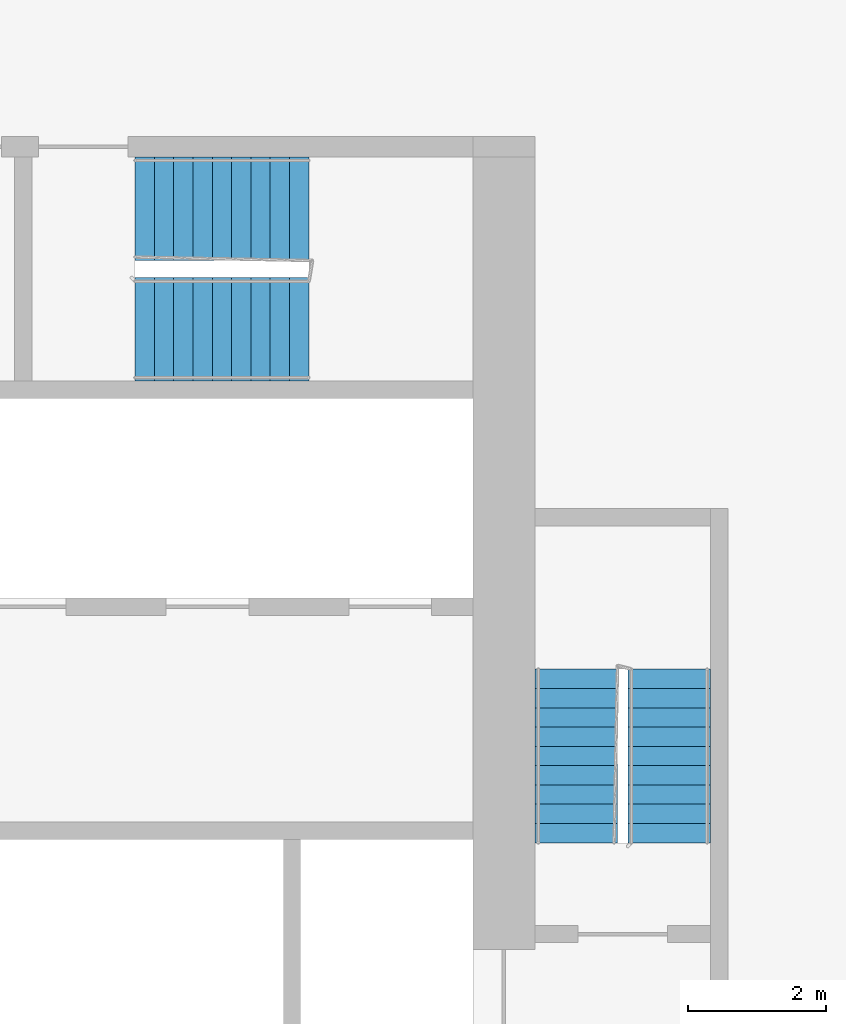
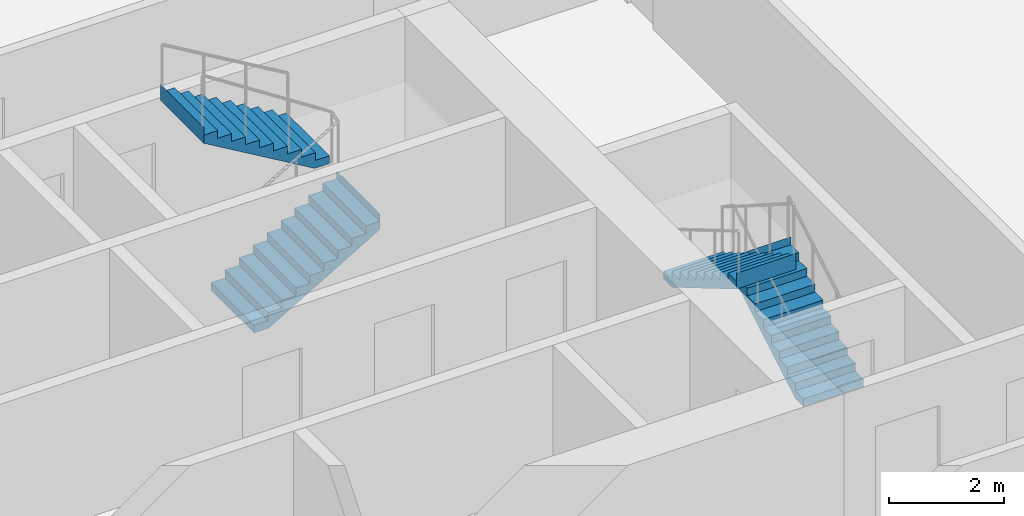
# One storey, part 11 of 12: 4 stair flights, 2 elements without a shape of their own.
"""IFC4 building model written with IfcOpenShell, lengths in metres."""

from ifc_helpers import new_model, si_unit, direction, frame, origin, place, context, subcontext, project, spatial, faceted_brep, material, type_object, element, aggregate, save


model = new_model("IFC4")

# Units and contexts
model_context = context("Model", 3, precision=1e-05, world=origin(), true_north=direction((0.0, 1.0)))
body_context = subcontext(model_context, "Body", "Model", "MODEL_VIEW")
ifc_project = project(units=[si_unit("LENGTHUNIT", "METRE"), si_unit("AREAUNIT", "SQUARE_METRE"), si_unit("VOLUMEUNIT", "CUBIC_METRE"), si_unit("PLANEANGLEUNIT", "RADIAN"), si_unit("MASSUNIT", "GRAM", prefix="KILO")], contexts=[model_context])

# Site, building, storey
site_placement = place(None, origin())
site = spatial("IfcSite", under=ifc_project, at=site_placement, CompositionType="ELEMENT")
building_placement = place(site_placement, origin())
building = spatial("IfcBuilding", under=site, at=building_placement, Name="Kajstack Hotel Tower", CompositionType="ELEMENT")
storey_placement = place(building_placement, frame((0.0, 0.0, 133.89990234375)))
storey = spatial("IfcBuildingStorey", under=building, at=storey_placement, Name="L30", CompositionType="ELEMENT", Elevation=133.89990234375)

# Stair, stair flights
ifc_material = material(Name="Concrete C40/50", Category="concrete")
stair_type_1 = type_object("IfcStairType", Name="Exit stair 1200", PredefinedType="HALF_TURN_STAIR", material=ifc_material)
stair_1_placement = place(storey_placement, origin())
stair_1 = element("IfcStair", 1, at=stair_1_placement, inside=storey, type_object=stair_type_1, Name="L30 stair E1", PredefinedType="HALF_TURN_STAIR")
stair_flight_type_1 = type_object("IfcStairFlightType", Name="Exit stair flight 1200", PredefinedType="STRAIGHT", material=ifc_material)
stair_flight_1_placement = place(storey_placement, frame((33.449951171875, 5.25, 0.0), z_axis=(0.0, 0.0, 1.0), x_axis=(0.0, 1.0, 0.0)))
stair_flight_1 = element("IfcStairFlight", 2, at=stair_flight_1_placement, type_object=stair_flight_type_1, Name="E1 flight 1", NumberOfRisers=10, NumberOfTreads=9, PredefinedType="STRAIGHT", RiserHeight=0.165, TreadLength=0.28, context=body_context, shape_type="Brep", body=[
    faceted_brep([(0.295654296875, -0.60009765625, 0.0), (2.5205078125, -0.60009765625, 1.31103515625), (2.5205078125, -0.60009765625, 1.64990234375), (2.52001953125, -0.60009765625, 1.64990234375), (2.52001953125, -0.60009765625, 1.485107421875), (2.239990234375, -0.60009765625, 1.485107421875), (2.239990234375, -0.60009765625, 1.320068359375), (1.9599609375, -0.60009765625, 1.320068359375), (1.9599609375, -0.60009765625, 1.155029296875), (1.679931640625, -0.60009765625, 1.155029296875), (1.679931640625, -0.60009765625, 0.989990234375), (1.39990234375, -0.60009765625, 0.989990234375), (1.39990234375, -0.60009765625, 0.824951171875), (1.1201171875, -0.60009765625, 0.824951171875), (1.1201171875, -0.60009765625, 0.659912109375), (0.840087890625, -0.60009765625, 0.659912109375), (0.840087890625, -0.60009765625, 0.4951171875), (0.56005859375, -0.60009765625, 0.4951171875), (0.56005859375, -0.60009765625, 0.330078125), (0.280029296875, -0.60009765625, 0.330078125), (0.280029296875, -0.60009765625, 0.1650390625), (-0.00048828125, -0.60009765625, 0.1650390625), (-0.00048828125, -0.60009765625, 0.0), (-0.00048828125, 0.60009765625, 0.0), (-0.00048828125, 0.60009765625, 0.1650390625), (0.280029296875, 0.60009765625, 0.1650390625), (0.280029296875, 0.60009765625, 0.330078125), (0.56005859375, 0.60009765625, 0.330078125), (0.56005859375, 0.60009765625, 0.4951171875), (0.840087890625, 0.60009765625, 0.4951171875), (0.840087890625, 0.60009765625, 0.659912109375), (1.1201171875, 0.60009765625, 0.659912109375), (1.1201171875, 0.60009765625, 0.824951171875), (1.39990234375, 0.60009765625, 0.824951171875), (1.39990234375, 0.60009765625, 0.989990234375), (1.679931640625, 0.60009765625, 0.989990234375), (1.679931640625, 0.60009765625, 1.155029296875), (1.9599609375, 0.60009765625, 1.155029296875), (1.9599609375, 0.60009765625, 1.320068359375), (2.239990234375, 0.60009765625, 1.320068359375), (2.239990234375, 0.60009765625, 1.485107421875), (2.52001953125, 0.60009765625, 1.485107421875), (2.52001953125, 0.60009765625, 1.64990234375), (2.5205078125, 0.60009765625, 1.64990234375), (2.5205078125, 0.60009765625, 1.31103515625), (0.295654296875, 0.60009765625, 0.0), (-0.00048828125, -0.300048828125, 0.1650390625), (-0.00048828125, 0.0, 0.1650390625), (-0.00048828125, 0.300048828125, 0.1650390625), (-0.00048828125, 0.300048828125, 0.0), (-0.00048828125, 0.0, 0.0), (-0.00048828125, -0.300048828125, 0.0), (0.280029296875, -0.300048828125, 0.1650390625), (0.280029296875, 0.0, 0.1650390625), (0.280029296875, 0.300048828125, 0.1650390625), (0.280029296875, -0.300048828125, 0.330078125), (0.280029296875, 0.0, 0.330078125), (0.280029296875, 0.300048828125, 0.330078125), (0.56005859375, -0.300048828125, 0.330078125), (0.56005859375, 0.0, 0.330078125), (0.56005859375, 0.300048828125, 0.330078125), (0.56005859375, -0.300048828125, 0.4951171875), (0.56005859375, 0.0, 0.4951171875), (0.56005859375, 0.300048828125, 0.4951171875), (0.840087890625, -0.300048828125, 0.4951171875), (0.840087890625, 0.0, 0.4951171875), (0.840087890625, 0.300048828125, 0.4951171875), (0.840087890625, -0.300048828125, 0.659912109375), (0.840087890625, 0.0, 0.659912109375), (0.840087890625, 0.300048828125, 0.659912109375), (1.1201171875, -0.300048828125, 0.659912109375), (1.1201171875, 0.0, 0.659912109375), (1.1201171875, 0.300048828125, 0.659912109375), (1.1201171875, -0.300048828125, 0.824951171875), (1.1201171875, 0.0, 0.824951171875), (1.1201171875, 0.300048828125, 0.824951171875), (1.39990234375, -0.300048828125, 0.824951171875), (1.39990234375, 0.0, 0.824951171875), (1.39990234375, 0.300048828125, 0.824951171875), (1.39990234375, -0.300048828125, 0.989990234375), (1.39990234375, 0.0, 0.989990234375), (1.39990234375, 0.300048828125, 0.989990234375), (1.679931640625, -0.300048828125, 0.989990234375), (1.679931640625, 0.0, 0.989990234375), (1.679931640625, 0.300048828125, 0.989990234375), (1.679931640625, -0.300048828125, 1.155029296875), (1.679931640625, 0.0, 1.155029296875), (1.679931640625, 0.300048828125, 1.155029296875), (1.9599609375, -0.300048828125, 1.155029296875), (1.9599609375, 0.0, 1.155029296875), (1.9599609375, 0.300048828125, 1.155029296875), (1.9599609375, -0.300048828125, 1.320068359375), (1.9599609375, 0.0, 1.320068359375), (1.9599609375, 0.300048828125, 1.320068359375), (2.239990234375, -0.300048828125, 1.320068359375), (2.239990234375, 0.0, 1.320068359375), (2.239990234375, 0.300048828125, 1.320068359375), (2.239990234375, -0.300048828125, 1.485107421875), (2.239990234375, 0.0, 1.485107421875), (2.239990234375, 0.300048828125, 1.485107421875), (2.52001953125, -0.300048828125, 1.485107421875), (2.52001953125, 0.0, 1.485107421875), (2.52001953125, 0.300048828125, 1.485107421875), (2.52001953125, -0.300048828125, 1.64990234375), (2.52001953125, 0.0, 1.64990234375), (2.52001953125, 0.300048828125, 1.64990234375), (2.5205078125, -0.300048828125, 1.64990234375), (2.5205078125, 0.0, 1.64990234375), (2.5205078125, 0.300048828125, 1.64990234375), (2.5205078125, -0.300048828125, 1.31103515625), (2.5205078125, 0.0, 1.31103515625), (2.5205078125, 0.300048828125, 1.31103515625), (0.295654296875, -0.300048828125, 0.0), (0.295654296875, 0.0, 0.0), (0.295654296875, 0.300048828125, 0.0)], [[[0, 1, 2, 3, 4, 5, 6, 7, 8, 9, 10, 11, 12, 13, 14, 15, 16, 17, 18, 19, 20, 21, 22]], [[23, 24, 25, 26, 27, 28, 29, 30, 31, 32, 33, 34, 35, 36, 37, 38, 39, 40, 41, 42, 43, 44, 45]], [[21, 46, 47, 48, 24, 23, 49, 50, 51, 22]], [[20, 52, 53, 54, 25, 24, 48, 47, 46, 21]], [[19, 55, 56, 57, 26, 25, 54, 53, 52, 20]], [[18, 58, 59, 60, 27, 26, 57, 56, 55, 19]], [[17, 61, 62, 63, 28, 27, 60, 59, 58, 18]], [[16, 64, 65, 66, 29, 28, 63, 62, 61, 17]], [[15, 67, 68, 69, 30, 29, 66, 65, 64, 16]], [[14, 70, 71, 72, 31, 30, 69, 68, 67, 15]], [[13, 73, 74, 75, 32, 31, 72, 71, 70, 14]], [[12, 76, 77, 78, 33, 32, 75, 74, 73, 13]], [[11, 79, 80, 81, 34, 33, 78, 77, 76, 12]], [[10, 82, 83, 84, 35, 34, 81, 80, 79, 11]], [[9, 85, 86, 87, 36, 35, 84, 83, 82, 10]], [[8, 88, 89, 90, 37, 36, 87, 86, 85, 9]], [[7, 91, 92, 93, 38, 37, 90, 89, 88, 8]], [[6, 94, 95, 96, 39, 38, 93, 92, 91, 7]], [[5, 97, 98, 99, 40, 39, 96, 95, 94, 6]], [[4, 100, 101, 102, 41, 40, 99, 98, 97, 5]], [[3, 103, 104, 105, 42, 41, 102, 101, 100, 4]], [[2, 106, 107, 108, 43, 42, 105, 104, 103, 3]], [[1, 109, 110, 111, 44, 43, 108, 107, 106, 2]], [[0, 112, 113, 114, 45, 44, 111, 110, 109, 1]], [[22, 51, 50, 49, 23, 45, 114, 113, 112, 0]]]),
])
stair_flight_2_placement = place(storey_placement, frame((32.10009765625, 7.77001953125, 1.650146484375), z_axis=(0.0, 0.0, 1.0), x_axis=(0.0, -1.0, 0.0)))
stair_flight_2 = element("IfcStairFlight", 3, at=stair_flight_2_placement, type_object=stair_flight_type_1, Name="E1 flight 2", NumberOfRisers=10, NumberOfTreads=9, PredefinedType="STRAIGHT", RiserHeight=0.165, TreadLength=0.28, context=body_context, shape_type="Brep", body=[
    faceted_brep([(0.295654296875, -0.60009765625, 0.0), (2.5205078125, -0.60009765625, 1.31103515625), (2.5205078125, -0.60009765625, 1.64990234375), (2.52001953125, -0.60009765625, 1.64990234375), (2.52001953125, -0.60009765625, 1.485107421875), (2.239990234375, -0.60009765625, 1.485107421875), (2.239990234375, -0.60009765625, 1.320068359375), (1.9599609375, -0.60009765625, 1.320068359375), (1.9599609375, -0.60009765625, 1.155029296875), (1.679931640625, -0.60009765625, 1.155029296875), (1.679931640625, -0.60009765625, 0.989990234375), (1.39990234375, -0.60009765625, 0.989990234375), (1.39990234375, -0.60009765625, 0.824951171875), (1.1201171875, -0.60009765625, 0.824951171875), (1.1201171875, -0.60009765625, 0.659912109375), (0.840087890625, -0.60009765625, 0.659912109375), (0.840087890625, -0.60009765625, 0.4951171875), (0.56005859375, -0.60009765625, 0.4951171875), (0.56005859375, -0.60009765625, 0.330078125), (0.280029296875, -0.60009765625, 0.330078125), (0.280029296875, -0.60009765625, 0.1650390625), (-0.00048828125, -0.60009765625, 0.1650390625), (-0.00048828125, -0.60009765625, 0.0), (-0.00048828125, 0.60009765625, 0.0), (-0.00048828125, 0.60009765625, 0.1650390625), (0.280029296875, 0.60009765625, 0.1650390625), (0.280029296875, 0.60009765625, 0.330078125), (0.56005859375, 0.60009765625, 0.330078125), (0.56005859375, 0.60009765625, 0.4951171875), (0.840087890625, 0.60009765625, 0.4951171875), (0.840087890625, 0.60009765625, 0.659912109375), (1.1201171875, 0.60009765625, 0.659912109375), (1.1201171875, 0.60009765625, 0.824951171875), (1.39990234375, 0.60009765625, 0.824951171875), (1.39990234375, 0.60009765625, 0.989990234375), (1.679931640625, 0.60009765625, 0.989990234375), (1.679931640625, 0.60009765625, 1.155029296875), (1.9599609375, 0.60009765625, 1.155029296875), (1.9599609375, 0.60009765625, 1.320068359375), (2.239990234375, 0.60009765625, 1.320068359375), (2.239990234375, 0.60009765625, 1.485107421875), (2.52001953125, 0.60009765625, 1.485107421875), (2.52001953125, 0.60009765625, 1.64990234375), (2.5205078125, 0.60009765625, 1.64990234375), (2.5205078125, 0.60009765625, 1.31103515625), (0.295654296875, 0.60009765625, 0.0), (-0.00048828125, -0.300048828125, 0.1650390625), (-0.00048828125, 0.0, 0.1650390625), (-0.00048828125, 0.300048828125, 0.1650390625), (-0.00048828125, 0.300048828125, 0.0), (-0.00048828125, 0.0, 0.0), (-0.00048828125, -0.300048828125, 0.0), (0.280029296875, -0.300048828125, 0.1650390625), (0.280029296875, 0.0, 0.1650390625), (0.280029296875, 0.300048828125, 0.1650390625), (0.280029296875, -0.300048828125, 0.330078125), (0.280029296875, 0.0, 0.330078125), (0.280029296875, 0.300048828125, 0.330078125), (0.56005859375, -0.300048828125, 0.330078125), (0.56005859375, 0.0, 0.330078125), (0.56005859375, 0.300048828125, 0.330078125), (0.56005859375, -0.300048828125, 0.4951171875), (0.56005859375, 0.0, 0.4951171875), (0.56005859375, 0.300048828125, 0.4951171875), (0.840087890625, -0.300048828125, 0.4951171875), (0.840087890625, 0.0, 0.4951171875), (0.840087890625, 0.300048828125, 0.4951171875), (0.840087890625, -0.300048828125, 0.659912109375), (0.840087890625, 0.0, 0.659912109375), (0.840087890625, 0.300048828125, 0.659912109375), (1.1201171875, -0.300048828125, 0.659912109375), (1.1201171875, 0.0, 0.659912109375), (1.1201171875, 0.300048828125, 0.659912109375), (1.1201171875, -0.300048828125, 0.824951171875), (1.1201171875, 0.0, 0.824951171875), (1.1201171875, 0.300048828125, 0.824951171875), (1.39990234375, -0.300048828125, 0.824951171875), (1.39990234375, 0.0, 0.824951171875), (1.39990234375, 0.300048828125, 0.824951171875), (1.39990234375, -0.300048828125, 0.989990234375), (1.39990234375, 0.0, 0.989990234375), (1.39990234375, 0.300048828125, 0.989990234375), (1.679931640625, -0.300048828125, 0.989990234375), (1.679931640625, 0.0, 0.989990234375), (1.679931640625, 0.300048828125, 0.989990234375), (1.679931640625, -0.300048828125, 1.155029296875), (1.679931640625, 0.0, 1.155029296875), (1.679931640625, 0.300048828125, 1.155029296875), (1.9599609375, -0.300048828125, 1.155029296875), (1.9599609375, 0.0, 1.155029296875), (1.9599609375, 0.300048828125, 1.155029296875), (1.9599609375, -0.300048828125, 1.320068359375), (1.9599609375, 0.0, 1.320068359375), (1.9599609375, 0.300048828125, 1.320068359375), (2.239990234375, -0.300048828125, 1.320068359375), (2.239990234375, 0.0, 1.320068359375), (2.239990234375, 0.300048828125, 1.320068359375), (2.239990234375, -0.300048828125, 1.485107421875), (2.239990234375, 0.0, 1.485107421875), (2.239990234375, 0.300048828125, 1.485107421875), (2.52001953125, -0.300048828125, 1.485107421875), (2.52001953125, 0.0, 1.485107421875), (2.52001953125, 0.300048828125, 1.485107421875), (2.52001953125, -0.300048828125, 1.64990234375), (2.52001953125, 0.0, 1.64990234375), (2.52001953125, 0.300048828125, 1.64990234375), (2.5205078125, -0.300048828125, 1.64990234375), (2.5205078125, 0.0, 1.64990234375), (2.5205078125, 0.300048828125, 1.64990234375), (2.5205078125, -0.300048828125, 1.31103515625), (2.5205078125, 0.0, 1.31103515625), (2.5205078125, 0.300048828125, 1.31103515625), (0.295654296875, -0.300048828125, 0.0), (0.295654296875, 0.0, 0.0), (0.295654296875, 0.300048828125, 0.0)], [[[0, 1, 2, 3, 4, 5, 6, 7, 8, 9, 10, 11, 12, 13, 14, 15, 16, 17, 18, 19, 20, 21, 22]], [[23, 24, 25, 26, 27, 28, 29, 30, 31, 32, 33, 34, 35, 36, 37, 38, 39, 40, 41, 42, 43, 44, 45]], [[21, 46, 47, 48, 24, 23, 49, 50, 51, 22]], [[20, 52, 53, 54, 25, 24, 48, 47, 46, 21]], [[19, 55, 56, 57, 26, 25, 54, 53, 52, 20]], [[18, 58, 59, 60, 27, 26, 57, 56, 55, 19]], [[17, 61, 62, 63, 28, 27, 60, 59, 58, 18]], [[16, 64, 65, 66, 29, 28, 63, 62, 61, 17]], [[15, 67, 68, 69, 30, 29, 66, 65, 64, 16]], [[14, 70, 71, 72, 31, 30, 69, 68, 67, 15]], [[13, 73, 74, 75, 32, 31, 72, 71, 70, 14]], [[12, 76, 77, 78, 33, 32, 75, 74, 73, 13]], [[11, 79, 80, 81, 34, 33, 78, 77, 76, 12]], [[10, 82, 83, 84, 35, 34, 81, 80, 79, 11]], [[9, 85, 86, 87, 36, 35, 84, 83, 82, 10]], [[8, 88, 89, 90, 37, 36, 87, 86, 85, 9]], [[7, 91, 92, 93, 38, 37, 90, 89, 88, 8]], [[6, 94, 95, 96, 39, 38, 93, 92, 91, 7]], [[5, 97, 98, 99, 40, 39, 96, 95, 94, 6]], [[4, 100, 101, 102, 41, 40, 99, 98, 97, 5]], [[3, 103, 104, 105, 42, 41, 102, 101, 100, 4]], [[2, 106, 107, 108, 43, 42, 105, 104, 103, 3]], [[1, 109, 110, 111, 44, 43, 108, 107, 106, 2]], [[0, 112, 113, 114, 45, 44, 111, 110, 109, 1]], [[22, 51, 50, 49, 23, 45, 114, 113, 112, 0]]]),
])
aggregate(stair_1, [stair_flight_1, stair_flight_2])

stair_type_2 = type_object("IfcStairType", Name="Exit stair 1500", PredefinedType="HALF_TURN_STAIR", material=ifc_material)
stair_2_placement = place(storey_placement, origin())
stair_2 = element("IfcStair", 4, at=stair_2_placement, inside=storey, type_object=stair_type_2, Name="L30 stair E3", PredefinedType="HALF_TURN_STAIR")
stair_flight_type_2 = type_object("IfcStairFlightType", Name="Exit stair flight 1500", PredefinedType="STRAIGHT", material=ifc_material)
stair_flight_3_placement = place(storey_placement, frame((25.699951171875, 12.699951171875, 0.0), z_axis=(0.0, 0.0, 1.0), x_axis=(1.0, 0.0, 0.0)))
stair_flight_3 = element("IfcStairFlight", 5, at=stair_flight_3_placement, type_object=stair_flight_type_2, Name="E3 flight 1", NumberOfRisers=10, NumberOfTreads=9, PredefinedType="STRAIGHT", RiserHeight=0.165, TreadLength=0.28, context=body_context, shape_type="Brep", body=[
    faceted_brep([(0.295654296875, -0.75, 0.0), (2.5205078125, -0.75, 1.31103515625), (2.5205078125, -0.75, 1.64990234375), (2.52001953125, -0.75, 1.64990234375), (2.52001953125, -0.75, 1.485107421875), (2.239990234375, -0.75, 1.485107421875), (2.239990234375, -0.75, 1.320068359375), (1.9599609375, -0.75, 1.320068359375), (1.9599609375, -0.75, 1.155029296875), (1.679931640625, -0.75, 1.155029296875), (1.679931640625, -0.75, 0.989990234375), (1.39990234375, -0.75, 0.989990234375), (1.39990234375, -0.75, 0.824951171875), (1.1201171875, -0.75, 0.824951171875), (1.1201171875, -0.75, 0.659912109375), (0.840087890625, -0.75, 0.659912109375), (0.840087890625, -0.75, 0.4951171875), (0.56005859375, -0.75, 0.4951171875), (0.56005859375, -0.75, 0.330078125), (0.280029296875, -0.75, 0.330078125), (0.280029296875, -0.75, 0.1650390625), (-0.00048828125, -0.75, 0.1650390625), (-0.00048828125, -0.75, 0.0), (-0.00048828125, 0.75, 0.0), (-0.00048828125, 0.75, 0.1650390625), (0.280029296875, 0.75, 0.1650390625), (0.280029296875, 0.75, 0.330078125), (0.56005859375, 0.75, 0.330078125), (0.56005859375, 0.75, 0.4951171875), (0.840087890625, 0.75, 0.4951171875), (0.840087890625, 0.75, 0.659912109375), (1.1201171875, 0.75, 0.659912109375), (1.1201171875, 0.75, 0.824951171875), (1.39990234375, 0.75, 0.824951171875), (1.39990234375, 0.75, 0.989990234375), (1.679931640625, 0.75, 0.989990234375), (1.679931640625, 0.75, 1.155029296875), (1.9599609375, 0.75, 1.155029296875), (1.9599609375, 0.75, 1.320068359375), (2.239990234375, 0.75, 1.320068359375), (2.239990234375, 0.75, 1.485107421875), (2.52001953125, 0.75, 1.485107421875), (2.52001953125, 0.75, 1.64990234375), (2.5205078125, 0.75, 1.64990234375), (2.5205078125, 0.75, 1.31103515625), (0.295654296875, 0.75, 0.0), (-0.00048828125, -0.375, 0.1650390625), (-0.00048828125, 0.0, 0.1650390625), (-0.00048828125, 0.375, 0.1650390625), (-0.00048828125, 0.375, 0.0), (-0.00048828125, 0.0, 0.0), (-0.00048828125, -0.375, 0.0), (0.280029296875, -0.375, 0.1650390625), (0.280029296875, 0.0, 0.1650390625), (0.280029296875, 0.375, 0.1650390625), (0.280029296875, -0.375, 0.330078125), (0.280029296875, 0.0, 0.330078125), (0.280029296875, 0.375, 0.330078125), (0.56005859375, -0.375, 0.330078125), (0.56005859375, 0.0, 0.330078125), (0.56005859375, 0.375, 0.330078125), (0.56005859375, -0.375, 0.4951171875), (0.56005859375, 0.0, 0.4951171875), (0.56005859375, 0.375, 0.4951171875), (0.840087890625, -0.375, 0.4951171875), (0.840087890625, 0.0, 0.4951171875), (0.840087890625, 0.375, 0.4951171875), (0.840087890625, -0.375, 0.659912109375), (0.840087890625, 0.0, 0.659912109375), (0.840087890625, 0.375, 0.659912109375), (1.1201171875, -0.375, 0.659912109375), (1.1201171875, 0.0, 0.659912109375), (1.1201171875, 0.375, 0.659912109375), (1.1201171875, -0.375, 0.824951171875), (1.1201171875, 0.0, 0.824951171875), (1.1201171875, 0.375, 0.824951171875), (1.39990234375, -0.375, 0.824951171875), (1.39990234375, 0.0, 0.824951171875), (1.39990234375, 0.375, 0.824951171875), (1.39990234375, -0.375, 0.989990234375), (1.39990234375, 0.0, 0.989990234375), (1.39990234375, 0.375, 0.989990234375), (1.679931640625, -0.375, 0.989990234375), (1.679931640625, 0.0, 0.989990234375), (1.679931640625, 0.375, 0.989990234375), (1.679931640625, -0.375, 1.155029296875), (1.679931640625, 0.0, 1.155029296875), (1.679931640625, 0.375, 1.155029296875), (1.9599609375, -0.375, 1.155029296875), (1.9599609375, 0.0, 1.155029296875), (1.9599609375, 0.375, 1.155029296875), (1.9599609375, -0.375, 1.320068359375), (1.9599609375, 0.0, 1.320068359375), (1.9599609375, 0.375, 1.320068359375), (2.239990234375, -0.375, 1.320068359375), (2.239990234375, 0.0, 1.320068359375), (2.239990234375, 0.375, 1.320068359375), (2.239990234375, -0.375, 1.485107421875), (2.239990234375, 0.0, 1.485107421875), (2.239990234375, 0.375, 1.485107421875), (2.52001953125, -0.375, 1.485107421875), (2.52001953125, 0.0, 1.485107421875), (2.52001953125, 0.375, 1.485107421875), (2.52001953125, -0.375, 1.64990234375), (2.52001953125, 0.0, 1.64990234375), (2.52001953125, 0.375, 1.64990234375), (2.5205078125, -0.375, 1.64990234375), (2.5205078125, 0.0, 1.64990234375), (2.5205078125, 0.375, 1.64990234375), (2.5205078125, -0.375, 1.31103515625), (2.5205078125, 0.0, 1.31103515625), (2.5205078125, 0.375, 1.31103515625), (0.295654296875, -0.375, 0.0), (0.295654296875, 0.0, 0.0), (0.295654296875, 0.375, 0.0)], [[[0, 1, 2, 3, 4, 5, 6, 7, 8, 9, 10, 11, 12, 13, 14, 15, 16, 17, 18, 19, 20, 21, 22]], [[23, 24, 25, 26, 27, 28, 29, 30, 31, 32, 33, 34, 35, 36, 37, 38, 39, 40, 41, 42, 43, 44, 45]], [[21, 46, 47, 48, 24, 23, 49, 50, 51, 22]], [[20, 52, 53, 54, 25, 24, 48, 47, 46, 21]], [[19, 55, 56, 57, 26, 25, 54, 53, 52, 20]], [[18, 58, 59, 60, 27, 26, 57, 56, 55, 19]], [[17, 61, 62, 63, 28, 27, 60, 59, 58, 18]], [[16, 64, 65, 66, 29, 28, 63, 62, 61, 17]], [[15, 67, 68, 69, 30, 29, 66, 65, 64, 16]], [[14, 70, 71, 72, 31, 30, 69, 68, 67, 15]], [[13, 73, 74, 75, 32, 31, 72, 71, 70, 14]], [[12, 76, 77, 78, 33, 32, 75, 74, 73, 13]], [[11, 79, 80, 81, 34, 33, 78, 77, 76, 12]], [[10, 82, 83, 84, 35, 34, 81, 80, 79, 11]], [[9, 85, 86, 87, 36, 35, 84, 83, 82, 10]], [[8, 88, 89, 90, 37, 36, 87, 86, 85, 9]], [[7, 91, 92, 93, 38, 37, 90, 89, 88, 8]], [[6, 94, 95, 96, 39, 38, 93, 92, 91, 7]], [[5, 97, 98, 99, 40, 39, 96, 95, 94, 6]], [[4, 100, 101, 102, 41, 40, 99, 98, 97, 5]], [[3, 103, 104, 105, 42, 41, 102, 101, 100, 4]], [[2, 106, 107, 108, 43, 42, 105, 104, 103, 3]], [[1, 109, 110, 111, 44, 43, 108, 107, 106, 2]], [[0, 112, 113, 114, 45, 44, 111, 110, 109, 1]], [[22, 51, 50, 49, 23, 45, 114, 113, 112, 0]]]),
])
stair_flight_4_placement = place(storey_placement, frame((28.219970703125, 14.449951171875, 1.650146484375), z_axis=(0.0, 0.0, 1.0), x_axis=(-1.0, 0.0, 0.0)))
stair_flight_4 = element("IfcStairFlight", 6, at=stair_flight_4_placement, type_object=stair_flight_type_2, Name="E3 flight 2", NumberOfRisers=10, NumberOfTreads=9, PredefinedType="STRAIGHT", RiserHeight=0.165, TreadLength=0.28, context=body_context, shape_type="Brep", body=[
    faceted_brep([(0.295654296875, -0.75, 0.0), (2.5205078125, -0.75, 1.31103515625), (2.5205078125, -0.75, 1.64990234375), (2.52001953125, -0.75, 1.64990234375), (2.52001953125, -0.75, 1.485107421875), (2.239990234375, -0.75, 1.485107421875), (2.239990234375, -0.75, 1.320068359375), (1.9599609375, -0.75, 1.320068359375), (1.9599609375, -0.75, 1.155029296875), (1.679931640625, -0.75, 1.155029296875), (1.679931640625, -0.75, 0.989990234375), (1.39990234375, -0.75, 0.989990234375), (1.39990234375, -0.75, 0.824951171875), (1.1201171875, -0.75, 0.824951171875), (1.1201171875, -0.75, 0.659912109375), (0.840087890625, -0.75, 0.659912109375), (0.840087890625, -0.75, 0.4951171875), (0.56005859375, -0.75, 0.4951171875), (0.56005859375, -0.75, 0.330078125), (0.280029296875, -0.75, 0.330078125), (0.280029296875, -0.75, 0.1650390625), (-0.00048828125, -0.75, 0.1650390625), (-0.00048828125, -0.75, 0.0), (-0.00048828125, 0.75, 0.0), (-0.00048828125, 0.75, 0.1650390625), (0.280029296875, 0.75, 0.1650390625), (0.280029296875, 0.75, 0.330078125), (0.56005859375, 0.75, 0.330078125), (0.56005859375, 0.75, 0.4951171875), (0.840087890625, 0.75, 0.4951171875), (0.840087890625, 0.75, 0.659912109375), (1.1201171875, 0.75, 0.659912109375), (1.1201171875, 0.75, 0.824951171875), (1.39990234375, 0.75, 0.824951171875), (1.39990234375, 0.75, 0.989990234375), (1.679931640625, 0.75, 0.989990234375), (1.679931640625, 0.75, 1.155029296875), (1.9599609375, 0.75, 1.155029296875), (1.9599609375, 0.75, 1.320068359375), (2.239990234375, 0.75, 1.320068359375), (2.239990234375, 0.75, 1.485107421875), (2.52001953125, 0.75, 1.485107421875), (2.52001953125, 0.75, 1.64990234375), (2.5205078125, 0.75, 1.64990234375), (2.5205078125, 0.75, 1.31103515625), (0.295654296875, 0.75, 0.0), (-0.00048828125, -0.375, 0.1650390625), (-0.00048828125, 0.0, 0.1650390625), (-0.00048828125, 0.375, 0.1650390625), (-0.00048828125, 0.375, 0.0), (-0.00048828125, 0.0, 0.0), (-0.00048828125, -0.375, 0.0), (0.280029296875, -0.375, 0.1650390625), (0.280029296875, 0.0, 0.1650390625), (0.280029296875, 0.375, 0.1650390625), (0.280029296875, -0.375, 0.330078125), (0.280029296875, 0.0, 0.330078125), (0.280029296875, 0.375, 0.330078125), (0.56005859375, -0.375, 0.330078125), (0.56005859375, 0.0, 0.330078125), (0.56005859375, 0.375, 0.330078125), (0.56005859375, -0.375, 0.4951171875), (0.56005859375, 0.0, 0.4951171875), (0.56005859375, 0.375, 0.4951171875), (0.840087890625, -0.375, 0.4951171875), (0.840087890625, 0.0, 0.4951171875), (0.840087890625, 0.375, 0.4951171875), (0.840087890625, -0.375, 0.659912109375), (0.840087890625, 0.0, 0.659912109375), (0.840087890625, 0.375, 0.659912109375), (1.1201171875, -0.375, 0.659912109375), (1.1201171875, 0.0, 0.659912109375), (1.1201171875, 0.375, 0.659912109375), (1.1201171875, -0.375, 0.824951171875), (1.1201171875, 0.0, 0.824951171875), (1.1201171875, 0.375, 0.824951171875), (1.39990234375, -0.375, 0.824951171875), (1.39990234375, 0.0, 0.824951171875), (1.39990234375, 0.375, 0.824951171875), (1.39990234375, -0.375, 0.989990234375), (1.39990234375, 0.0, 0.989990234375), (1.39990234375, 0.375, 0.989990234375), (1.679931640625, -0.375, 0.989990234375), (1.679931640625, 0.0, 0.989990234375), (1.679931640625, 0.375, 0.989990234375), (1.679931640625, -0.375, 1.155029296875), (1.679931640625, 0.0, 1.155029296875), (1.679931640625, 0.375, 1.155029296875), (1.9599609375, -0.375, 1.155029296875), (1.9599609375, 0.0, 1.155029296875), (1.9599609375, 0.375, 1.155029296875), (1.9599609375, -0.375, 1.320068359375), (1.9599609375, 0.0, 1.320068359375), (1.9599609375, 0.375, 1.320068359375), (2.239990234375, -0.375, 1.320068359375), (2.239990234375, 0.0, 1.320068359375), (2.239990234375, 0.375, 1.320068359375), (2.239990234375, -0.375, 1.485107421875), (2.239990234375, 0.0, 1.485107421875), (2.239990234375, 0.375, 1.485107421875), (2.52001953125, -0.375, 1.485107421875), (2.52001953125, 0.0, 1.485107421875), (2.52001953125, 0.375, 1.485107421875), (2.52001953125, -0.375, 1.64990234375), (2.52001953125, 0.0, 1.64990234375), (2.52001953125, 0.375, 1.64990234375), (2.5205078125, -0.375, 1.64990234375), (2.5205078125, 0.0, 1.64990234375), (2.5205078125, 0.375, 1.64990234375), (2.5205078125, -0.375, 1.31103515625), (2.5205078125, 0.0, 1.31103515625), (2.5205078125, 0.375, 1.31103515625), (0.295654296875, -0.375, 0.0), (0.295654296875, 0.0, 0.0), (0.295654296875, 0.375, 0.0)], [[[0, 1, 2, 3, 4, 5, 6, 7, 8, 9, 10, 11, 12, 13, 14, 15, 16, 17, 18, 19, 20, 21, 22]], [[23, 24, 25, 26, 27, 28, 29, 30, 31, 32, 33, 34, 35, 36, 37, 38, 39, 40, 41, 42, 43, 44, 45]], [[21, 46, 47, 48, 24, 23, 49, 50, 51, 22]], [[20, 52, 53, 54, 25, 24, 48, 47, 46, 21]], [[19, 55, 56, 57, 26, 25, 54, 53, 52, 20]], [[18, 58, 59, 60, 27, 26, 57, 56, 55, 19]], [[17, 61, 62, 63, 28, 27, 60, 59, 58, 18]], [[16, 64, 65, 66, 29, 28, 63, 62, 61, 17]], [[15, 67, 68, 69, 30, 29, 66, 65, 64, 16]], [[14, 70, 71, 72, 31, 30, 69, 68, 67, 15]], [[13, 73, 74, 75, 32, 31, 72, 71, 70, 14]], [[12, 76, 77, 78, 33, 32, 75, 74, 73, 13]], [[11, 79, 80, 81, 34, 33, 78, 77, 76, 12]], [[10, 82, 83, 84, 35, 34, 81, 80, 79, 11]], [[9, 85, 86, 87, 36, 35, 84, 83, 82, 10]], [[8, 88, 89, 90, 37, 36, 87, 86, 85, 9]], [[7, 91, 92, 93, 38, 37, 90, 89, 88, 8]], [[6, 94, 95, 96, 39, 38, 93, 92, 91, 7]], [[5, 97, 98, 99, 40, 39, 96, 95, 94, 6]], [[4, 100, 101, 102, 41, 40, 99, 98, 97, 5]], [[3, 103, 104, 105, 42, 41, 102, 101, 100, 4]], [[2, 106, 107, 108, 43, 42, 105, 104, 103, 3]], [[1, 109, 110, 111, 44, 43, 108, 107, 106, 2]], [[0, 112, 113, 114, 45, 44, 111, 110, 109, 1]], [[22, 51, 50, 49, 23, 45, 114, 113, 112, 0]]]),
])
aggregate(stair_2, [stair_flight_3, stair_flight_4])

save(model, "model.ifc")
